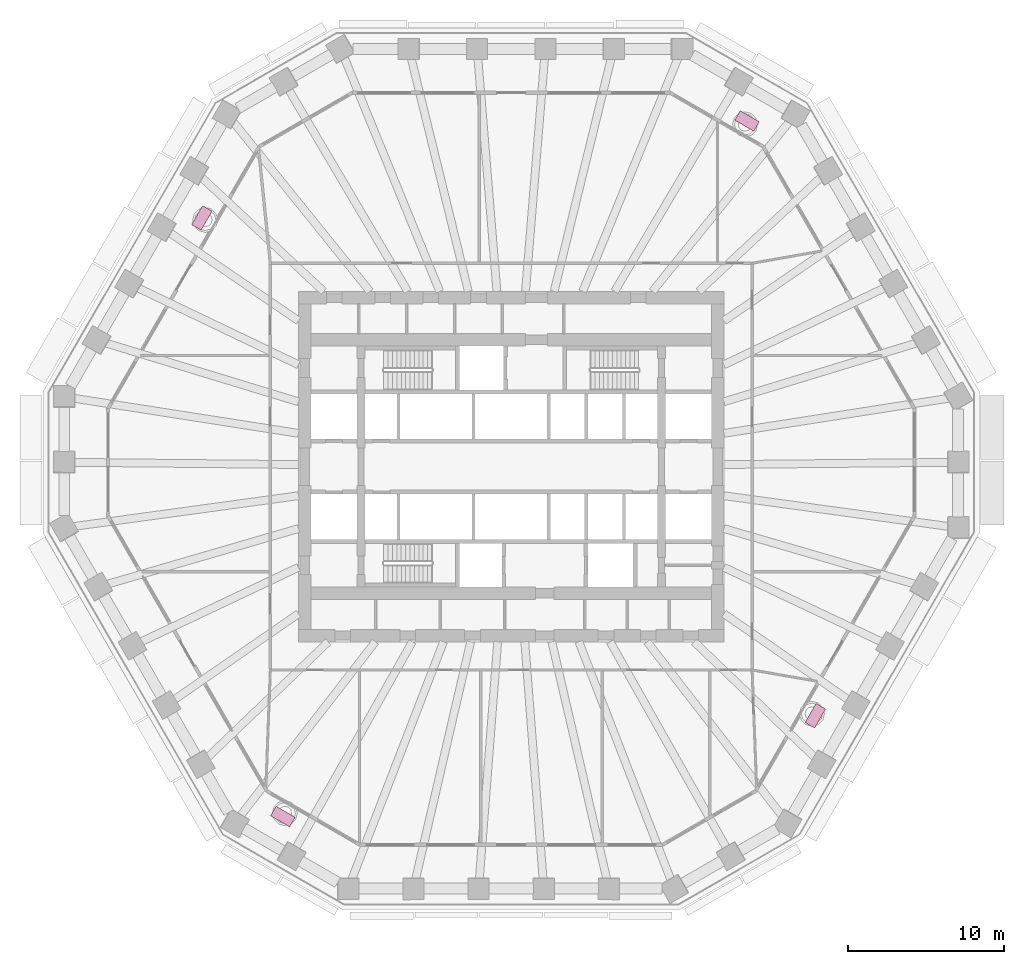
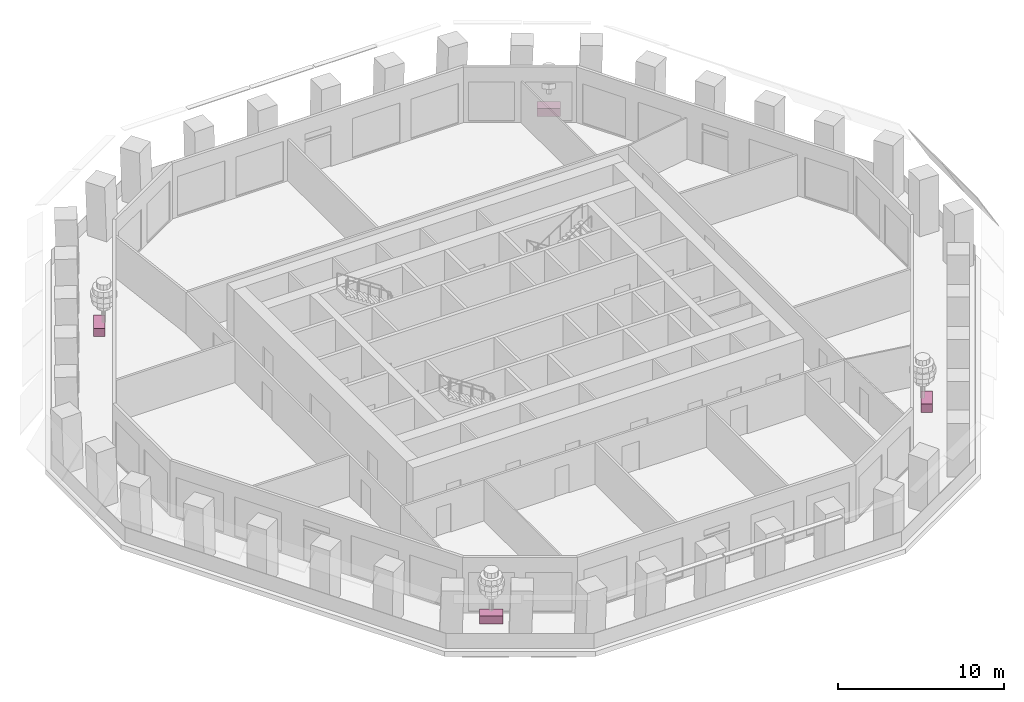
# One storey, part 11 of 12: 4 furniture elements.
"""IFC4 building model written with IfcOpenShell, lengths in metres."""

import ifcopenshell
import ifcopenshell.guid

model = None  # the IFC model being written
_history = None  # IfcOwnerHistory: only IFC2X3 demands one
_inside = {}  # id of a spatial element -> (the spatial element, [elements in it])
_under = {}  # id of a project, library or spatial element -> (it, [spatial elements below it])
_declared = {}  # id of a project -> (the project, [libraries it declares])
_typed = {}  # id of a type object -> (the type object, [elements of that type])
_made_of = {}  # id of a material, layer set ... -> (it, [elements and type objects made of it])


def new_model(schema):
    """Start an empty IFC model of exactly this schema.

    Asked for "IFC4X3", IfcOpenShell would pick the latest addendum, in which some entities
    have other attributes; the version numbers below select the first issue.
    IFC2X3 requires an IfcOwnerHistory on every rooted entity: one is made here for all.
    """
    global model, _history
    if schema == "IFC4X3":
        model = ifcopenshell.file(schema_version=(4, 3, 0, 0))
    else:
        model = ifcopenshell.file(schema=schema)
    _inside.clear()
    _under.clear()
    _declared.clear()
    _typed.clear()
    _made_of.clear()
    _history = None
    if model.schema == "IFC2X3":
        org = make("IfcOrganization", Name="unknown")
        user = make(
            "IfcPersonAndOrganization",
            ThePerson=make("IfcPerson", FamilyName="unknown"),
            TheOrganization=org,
        )
        app = make(
            "IfcApplication",
            ApplicationDeveloper=org,
            Version="unknown",
            ApplicationFullName="unknown",
            ApplicationIdentifier="unknown",
        )
        _history = make(
            "IfcOwnerHistory",
            OwningUser=user,
            OwningApplication=app,
            ChangeAction="ADDED",
            CreationDate=0,
        )
    return model


def make(cls, **values):
    """One entity of the class cls with the attributes given. An attribute that is None is left unset."""
    return model.create_entity(
        cls, **{name: value for name, value in values.items() if value is not None}
    )


def rooted(cls, **values):
    """An entity with a GlobalId (a new one), such as an element, a storey or a relation."""
    return make(cls, GlobalId=ifcopenshell.guid.new(), OwnerHistory=_history, **values)


def si_unit(unit_type, name, prefix=None):
    """IfcSIUnit, for example si_unit("LENGTHUNIT", "METRE", prefix="MILLI")."""
    return make("IfcSIUnit", UnitType=unit_type, Prefix=prefix, Name=name)


def assignment(units):
    """IfcUnitAssignment: the units of a project."""
    return None if units is None else make("IfcUnitAssignment", Units=units)


def point(xyz):
    """IfcCartesianPoint."""
    return None if xyz is None else make("IfcCartesianPoint", Coordinates=xyz)


def direction(xyz):
    """IfcDirection."""
    return None if xyz is None else make("IfcDirection", DirectionRatios=xyz)


def frame(location, z_axis=None, x_axis=None):
    """IfcAxis2Placement3D, a coordinate frame: its origin and axes. An axis left out is left unset."""
    return make(
        "IfcAxis2Placement3D",
        Location=point(location),
        Axis=direction(z_axis),
        RefDirection=direction(x_axis),
    )


def frame_2d(location, x_axis=None):
    """IfcAxis2Placement2D, a coordinate frame in the plane: its origin and x axis."""
    return make(
        "IfcAxis2Placement2D", Location=point(location), RefDirection=direction(x_axis)
    )


def origin():
    """The frame at (0, 0, 0) with its axes left unset."""
    return frame((0.0, 0.0, 0.0))


def origin_2d():
    """The frame at (0, 0) in the plane with its x axis left unset."""
    return frame_2d((0.0, 0.0))


def place(relative_to, where):
    """IfcLocalPlacement: puts the frame where relative to a parent placement (None: the world)."""
    return make(
        "IfcLocalPlacement", PlacementRelTo=relative_to, RelativePlacement=where
    )


def context(
    kind, dimensions, precision=None, world=None, true_north=None, identifier=None
):
    """IfcGeometricRepresentationContext, for example the 3D "Model" context."""
    return make(
        "IfcGeometricRepresentationContext",
        ContextIdentifier=identifier,
        ContextType=kind,
        CoordinateSpaceDimension=dimensions,
        Precision=precision,
        WorldCoordinateSystem=world,
        TrueNorth=true_north,
    )


def subcontext(parent, identifier, kind, view, scale=None):
    """IfcGeometricRepresentationSubContext, for example "Body" below "Model"."""
    return make(
        "IfcGeometricRepresentationSubContext",
        ContextIdentifier=identifier,
        ContextType=kind,
        ParentContext=parent,
        TargetScale=scale,
        TargetView=view,
    )


def project(units=None, contexts=None):
    """IfcProject with its units and contexts."""
    return rooted(
        "IfcProject",
        Name="project",
        RepresentationContexts=contexts,
        UnitsInContext=assignment(units),
    )


def spatial(cls, under=None, at=None, **own):
    """A site, building, storey or space (cls), placed at a placement, below another one or the project."""
    s = rooted(cls, ObjectPlacement=at, **own)
    if under is not None:
        _under.setdefault(under.id(), (under, []))[1].append(s)
    return s


def profile(cls, at=None, kind="AREA", **sizes):
    """A parametric profile (cls). Its sizes go by their IFC names, for example OverallWidth=200.0."""
    return make(cls, ProfileType=kind, Position=at, **sizes)


def rectangle(**sizes):
    """IfcRectangleProfileDef."""
    return profile("IfcRectangleProfileDef", **sizes)


def extrude(swept, where, along, depth):
    """IfcExtrudedAreaSolid: the profile swept, set in the frame where, extruded along a direction by depth."""
    return make(
        "IfcExtrudedAreaSolid",
        SweptArea=swept,
        Position=where,
        ExtrudedDirection=direction(along),
        Depth=depth,
    )


def shape(context_of_items, identifier, shape_type, items):
    """IfcShapeRepresentation: the items that make up one representation, for example the "Body"."""
    return make(
        "IfcShapeRepresentation",
        ContextOfItems=context_of_items,
        RepresentationIdentifier=identifier,
        RepresentationType=shape_type,
        Items=items,
    )


def material(Name=None, Category=None):
    """IfcMaterial."""
    return make("IfcMaterial", Name=Name, Category=Category)


def made_of(thing, what):
    """Note that an element or type object is made of a material, layer set ...; save() writes the relation."""
    if what is not None:
        _made_of.setdefault(what.id(), (what, []))[1].append(thing)
    return thing


def type_object(cls, material=None, **own):
    """A type object (cls), such as IfcWallType, which elements share."""
    return made_of(rooted(cls, **own), material)


def element(
    cls,
    number,
    at=None,
    inside=None,
    cuts=None,
    type_object=None,
    material=None,
    context=None,
    identifier="Body",
    shape_type=None,
    held_by="IfcProductDefinitionShape",
    body=None,
    shapes=None,
    **own,
):
    """One element of the class cls, such as IfcWall. Its Tag is "e" and its number.

    at: its placement. inside: the storey or other place that contains it. cuts: it is an
    opening in that element (IfcRelVoidsElement). A single representation is given by context,
    identifier, shape_type and body (its items); several are given by shapes. held_by: the class
    of the entity that holds the representations. save() writes the other relations.
    """
    e = rooted(cls, Tag="e%d" % number, ObjectPlacement=at, **own)
    if body is not None:
        shapes = [shape(context, identifier, shape_type, body)]
    if shapes is not None:
        e.Representation = make(held_by, Representations=shapes)
    if inside is not None:
        _inside.setdefault(inside.id(), (inside, []))[1].append(e)
    if cuts is not None:
        rooted(
            "IfcRelVoidsElement", RelatingBuildingElement=cuts, RelatedOpeningElement=e
        )
    if type_object is not None:
        _typed.setdefault(type_object.id(), (type_object, []))[1].append(e)
    return made_of(e, material)


def aggregate(whole, parts):
    """IfcRelAggregates: a whole, such as a stair, and the parts it consists of."""
    return rooted("IfcRelAggregates", RelatingObject=whole, RelatedObjects=parts)


def save(model, path):
    """Write the relations noted so far, then the file.

    IfcRelAggregates (storeys below a building ...), IfcRelContainedInSpatialStructure (elements
    in a storey), IfcRelDefinesByType, IfcRelAssociatesMaterial and IfcRelDeclares: one each for
    every whole, place, type object, material and project.
    """
    for whole, parts in _under.values():
        aggregate(whole, parts)
    for where, things in _inside.values():
        rooted(
            "IfcRelContainedInSpatialStructure",
            RelatedElements=things,
            RelatingStructure=where,
        )
    for kind, things in _typed.values():
        rooted("IfcRelDefinesByType", RelatedObjects=things, RelatingType=kind)
    for what, things in _made_of.values():
        rooted("IfcRelAssociatesMaterial", RelatedObjects=things, RelatingMaterial=what)
    for by, libraries in _declared.values():
        rooted("IfcRelDeclares", RelatingContext=by, RelatedDefinitions=libraries)
    model.write(path)


model = new_model("IFC4")

# Units and contexts
model_context = context("Model", 3, precision=1e-05, world=origin(), true_north=direction((0.0, 1.0)))
body_context = subcontext(model_context, "Body", "Model", "MODEL_VIEW")
ifc_project = project(units=[si_unit("LENGTHUNIT", "METRE"), si_unit("AREAUNIT", "SQUARE_METRE"), si_unit("VOLUMEUNIT", "CUBIC_METRE"), si_unit("PLANEANGLEUNIT", "RADIAN"), si_unit("MASSUNIT", "GRAM", prefix="KILO")], contexts=[model_context])

# Site, building, storey
site_placement = place(None, origin())
site = spatial("IfcSite", under=ifc_project, at=site_placement, CompositionType="ELEMENT")
building_placement = place(site_placement, origin())
building = spatial("IfcBuilding", under=site, at=building_placement, Name="Frailejon Research Tower", CompositionType="ELEMENT")
storey_placement = place(building_placement, frame((0.0, 0.0, 89.60009765625)))
storey = spatial("IfcBuildingStorey", under=building, at=storey_placement, Name="L19", CompositionType="ELEMENT", Elevation=89.60009765625)

# Furniture
ifc_material = material(Name="Precast concrete C30/37 planter, terracotta", Category="masonry")
furniture_type = type_object("IfcFurnitureType", Name="Loggia planter 1400x700", AssemblyPlace="NOTDEFINED", PredefinedType="USERDEFINED", material=ifc_material)
for number, where, z_axis, x_axis, name in (
    (1, (15.07568359375, 22.0947265625, -0.000244140625), (0.0, 0.0, 1.0), (-0.866025403784, 0.5, 0.0), "Planter L19"),
    (2, (-19.777587890625, 15.897216796875, -0.000244140625), (0.0, 0.0, 1.0), (-0.5, -0.866025403784, 0.0), "Planter L19"),
    (3, (-14.5966796875, -22.371337890625, -0.000244140625), (0.0, 0.0, 1.0), (0.866025403784, -0.5, 0.0), "Planter L19"),
    (4, (19.4423828125, -15.925048828125, -0.000244140625), (0.0, 0.0, 1.0), (0.5, 0.866025403784, 0.0), "Planter L19"),
):
    element("IfcFurniture", number, at=place(storey_placement, frame(where, z_axis=z_axis, x_axis=x_axis)), inside=storey, type_object=furniture_type, Name=name, ObjectType="PLANTER", PredefinedType="USERDEFINED", context=body_context, shape_type="SweptSolid", body=[
        extrude(rectangle(XDim=1.39990234375, YDim=0.699951171875, at=origin_2d()), origin(), (0.0, 0.0, 1.0), 0.60009765625),
    ])

save(model, "model.ifc")
